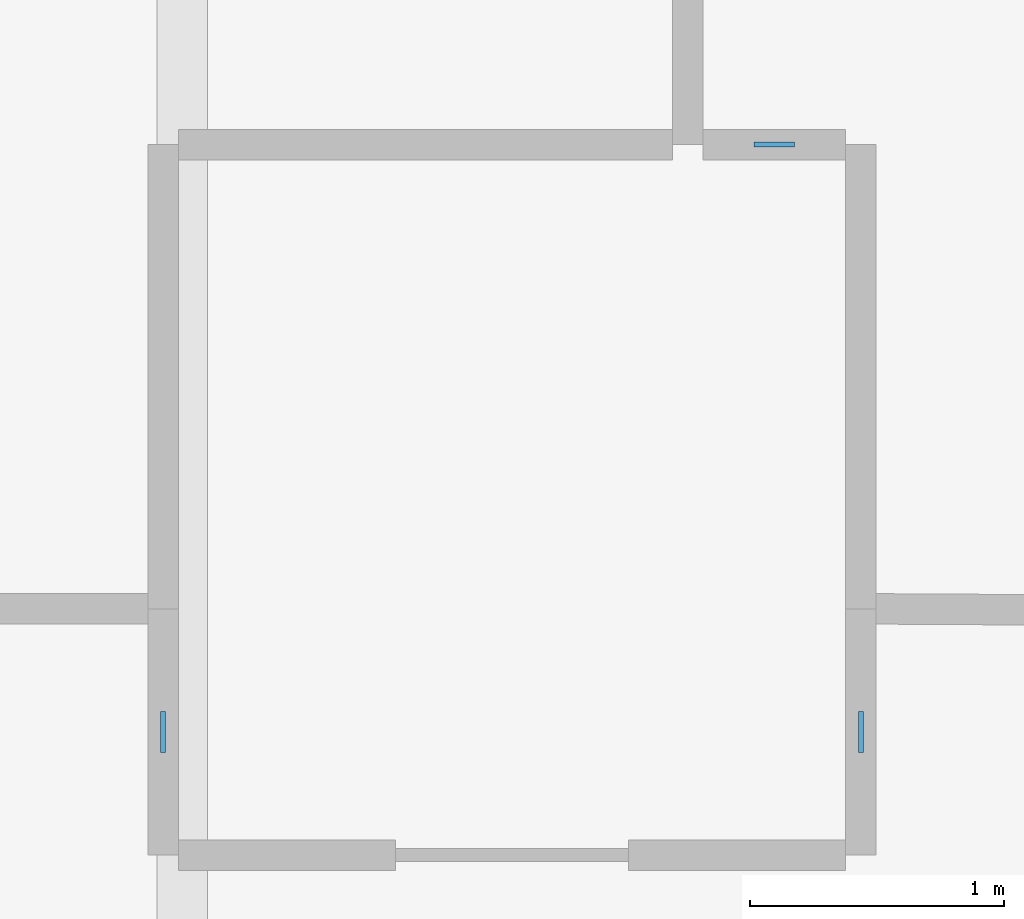
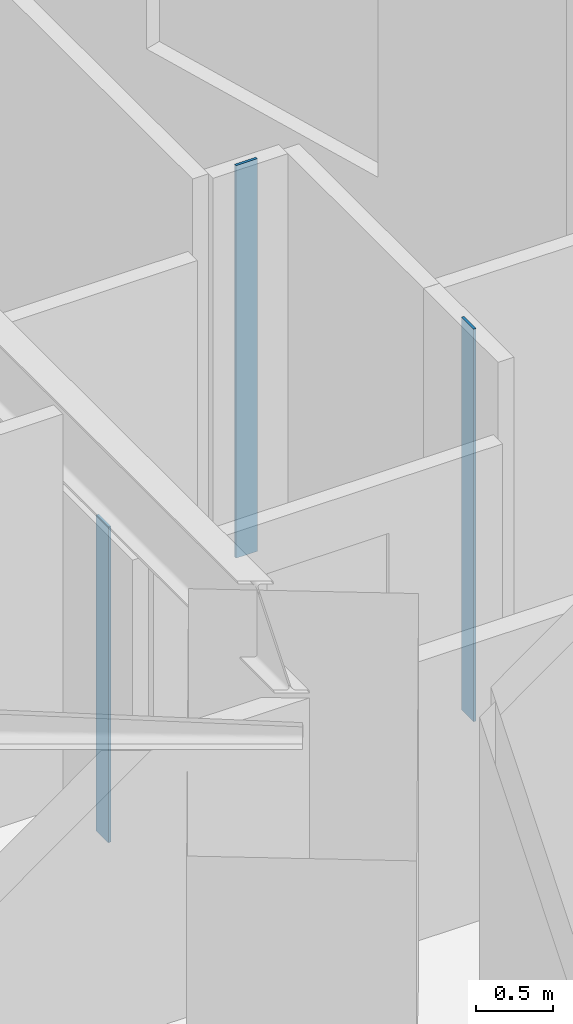
# One storey, part 6 of 15: 3 plates.
"""IFC4 building model written with IfcOpenShell, lengths in metres."""

from ifc_helpers import new_model, si_unit, direction, frame, origin, origin_2d, place, context, subcontext, project, spatial, rectangle, extrude, material, layer, layer_set, type_object, element, save


model = new_model("IFC4")

# Units and contexts
model_context = context("Model", 3, precision=1e-05, world=origin(), true_north=direction((0.0, 1.0)))
body_context = subcontext(model_context, "Body", "Model", "MODEL_VIEW")
ifc_project = project(units=[si_unit("LENGTHUNIT", "METRE"), si_unit("AREAUNIT", "SQUARE_METRE"), si_unit("VOLUMEUNIT", "CUBIC_METRE"), si_unit("PLANEANGLEUNIT", "RADIAN"), si_unit("MASSUNIT", "GRAM", prefix="KILO")], contexts=[model_context])

# Site, building, storey
site_placement = place(None, origin())
site = spatial("IfcSite", under=ifc_project, at=site_placement, CompositionType="ELEMENT")
building_placement = place(site_placement, origin())
building = spatial("IfcBuilding", under=site, at=building_placement, Name="Miruveldt Soraemaru", CompositionType="ELEMENT")
storey_placement = place(building_placement, frame((0.0, 0.0, 32.60009765625)))
storey = spatial("IfcBuildingStorey", under=building, at=storey_placement, Name="L08", CompositionType="ELEMENT", Elevation=32.60009765625)

# Plates
ifc_material = material(Name="Anodised aluminium EN AW-6063 T6", Category="aluminium")
ifc_layer = layer(ifc_material, 0.02001953125, Name="Anodised aluminium EN AW-6063 T6", Category="aluminium")
ifc_layer_set = layer_set([ifc_layer], Name="Anodised aluminium EN AW-6063 T6")
plate_type = type_object("IfcPlateType", Name="PLT-PART-TRIM", PredefinedType="SHEET", material=ifc_layer_set)
plate_1_placement = place(storey_placement, frame((64.030029296875, 35.364990234375, 0.0), z_axis=(0.0, 0.0, 1.0), x_axis=(0.0, 1.0, 0.0)))
element("IfcPlate", 1, at=plate_1_placement, inside=storey, type_object=plate_type, Name="L08 Partition Step Corner Trim Plate 073", PredefinedType="SHEET", context=body_context, shape_type="SweptSolid", body=[
    extrude(rectangle(XDim=0.159912109375, YDim=0.02001953125, at=origin_2d()), origin(), (0.0, 0.0, 1.0), 3.125),
])
plate_2_placement = place(storey_placement, frame((61.280029296875, 35.364990234375, 0.0), z_axis=(0.0, 0.0, 1.0), x_axis=(0.0, -1.0, 0.0)))
element("IfcPlate", 2, at=plate_2_placement, inside=storey, type_object=plate_type, Name="L08 Partition Step Corner Trim Plate 074", PredefinedType="SHEET", context=body_context, shape_type="SweptSolid", body=[
    extrude(rectangle(XDim=0.159912109375, YDim=0.02001953125, at=origin_2d()), origin(), (0.0, 0.0, 1.0), 2.512939453125),
])
plate_3_placement = place(storey_placement, frame((63.68896484375, 37.679931640625, 0.0), z_axis=(0.0, 0.0, 1.0), x_axis=(-1.0, 0.0, 0.0)))
element("IfcPlate", 3, at=plate_3_placement, inside=storey, type_object=plate_type, Name="L08 Partition Step Corner Trim Plate 083", PredefinedType="SHEET", context=body_context, shape_type="SweptSolid", body=[
    extrude(rectangle(XDim=0.159912109375, YDim=0.02001953125, at=origin_2d()), origin(), (0.0, 0.0, 1.0), 3.125),
])

save(model, "model.ifc")
